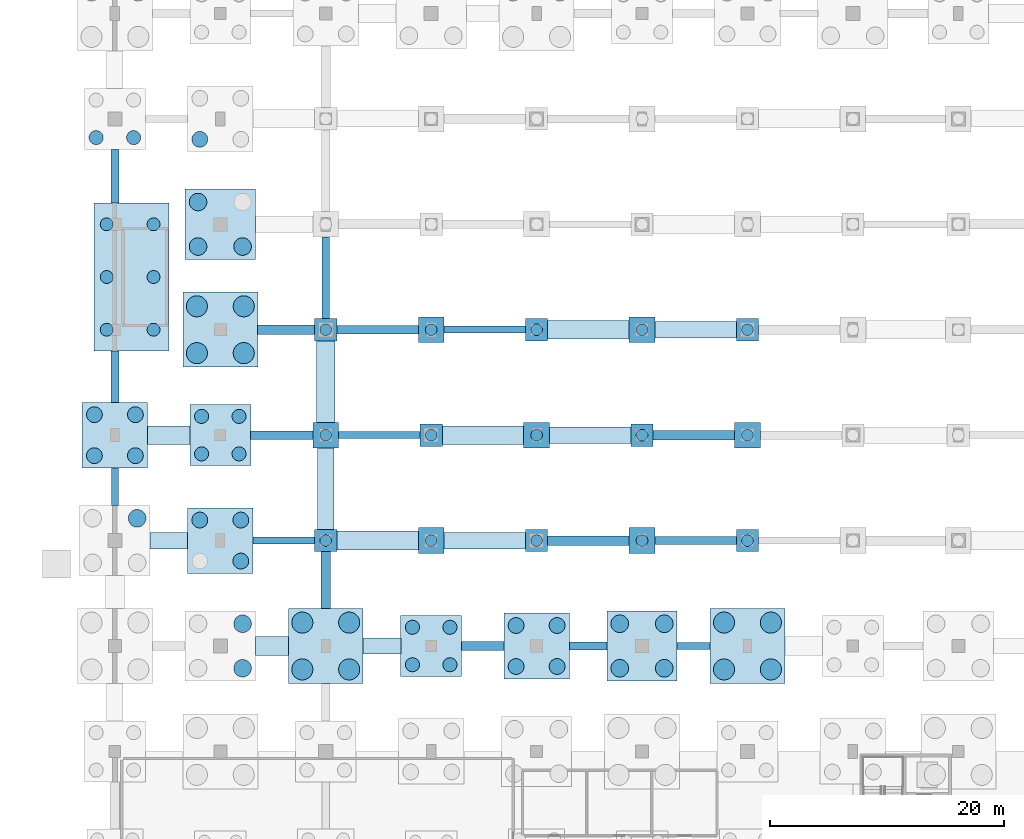
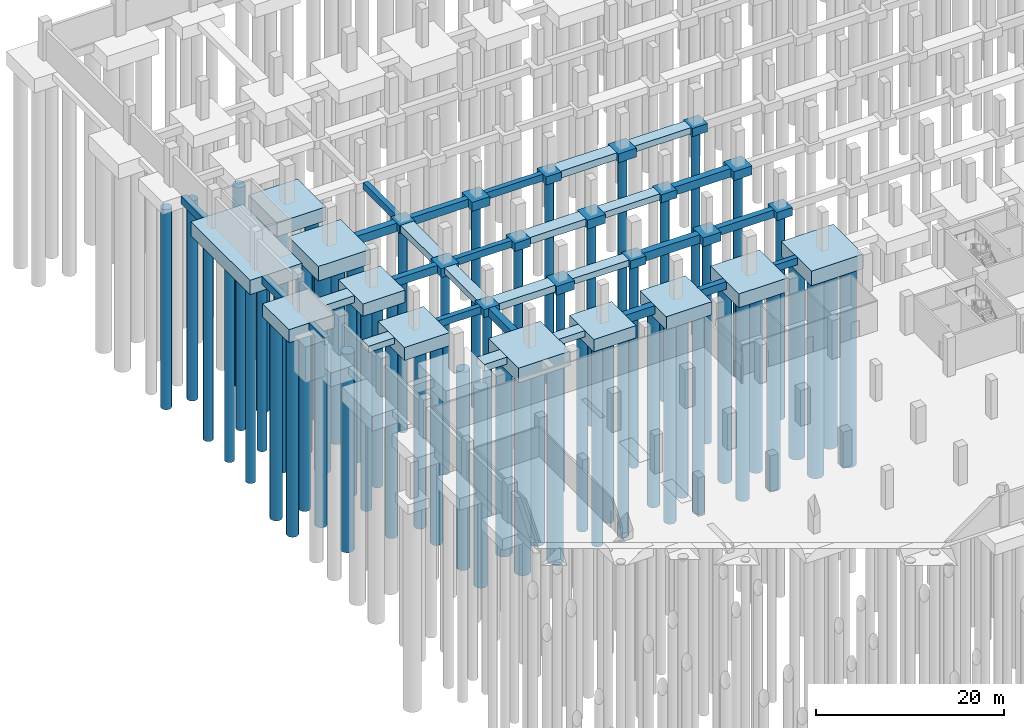
# One storey, part 4 of 37: 65 piles, 55 footings.
"""IFC4 building model written with IfcOpenShell, lengths in metres."""

import ifcopenshell
import ifcopenshell.guid

model = None  # the IFC model being written
_history = None  # IfcOwnerHistory: only IFC2X3 demands one
_inside = {}  # id of a spatial element -> (the spatial element, [elements in it])
_under = {}  # id of a project, library or spatial element -> (it, [spatial elements below it])
_declared = {}  # id of a project -> (the project, [libraries it declares])
_typed = {}  # id of a type object -> (the type object, [elements of that type])
_made_of = {}  # id of a material, layer set ... -> (it, [elements and type objects made of it])


def new_model(schema):
    """Start an empty IFC model of exactly this schema.

    Asked for "IFC4X3", IfcOpenShell would pick the latest addendum, in which some entities
    have other attributes; the version numbers below select the first issue.
    IFC2X3 requires an IfcOwnerHistory on every rooted entity: one is made here for all.
    """
    global model, _history
    if schema == "IFC4X3":
        model = ifcopenshell.file(schema_version=(4, 3, 0, 0))
    else:
        model = ifcopenshell.file(schema=schema)
    _inside.clear()
    _under.clear()
    _declared.clear()
    _typed.clear()
    _made_of.clear()
    _history = None
    if model.schema == "IFC2X3":
        org = make("IfcOrganization", Name="unknown")
        user = make(
            "IfcPersonAndOrganization",
            ThePerson=make("IfcPerson", FamilyName="unknown"),
            TheOrganization=org,
        )
        app = make(
            "IfcApplication",
            ApplicationDeveloper=org,
            Version="unknown",
            ApplicationFullName="unknown",
            ApplicationIdentifier="unknown",
        )
        _history = make(
            "IfcOwnerHistory",
            OwningUser=user,
            OwningApplication=app,
            ChangeAction="ADDED",
            CreationDate=0,
        )
    return model


def make(cls, **values):
    """One entity of the class cls with the attributes given. An attribute that is None is left unset."""
    return model.create_entity(
        cls, **{name: value for name, value in values.items() if value is not None}
    )


def rooted(cls, **values):
    """An entity with a GlobalId (a new one), such as an element, a storey or a relation."""
    return make(cls, GlobalId=ifcopenshell.guid.new(), OwnerHistory=_history, **values)


def si_unit(unit_type, name, prefix=None):
    """IfcSIUnit, for example si_unit("LENGTHUNIT", "METRE", prefix="MILLI")."""
    return make("IfcSIUnit", UnitType=unit_type, Prefix=prefix, Name=name)


def assignment(units):
    """IfcUnitAssignment: the units of a project."""
    return None if units is None else make("IfcUnitAssignment", Units=units)


def point(xyz):
    """IfcCartesianPoint."""
    return None if xyz is None else make("IfcCartesianPoint", Coordinates=xyz)


def direction(xyz):
    """IfcDirection."""
    return None if xyz is None else make("IfcDirection", DirectionRatios=xyz)


def frame(location, z_axis=None, x_axis=None):
    """IfcAxis2Placement3D, a coordinate frame: its origin and axes. An axis left out is left unset."""
    return make(
        "IfcAxis2Placement3D",
        Location=point(location),
        Axis=direction(z_axis),
        RefDirection=direction(x_axis),
    )


def frame_2d(location, x_axis=None):
    """IfcAxis2Placement2D, a coordinate frame in the plane: its origin and x axis."""
    return make(
        "IfcAxis2Placement2D", Location=point(location), RefDirection=direction(x_axis)
    )


def origin():
    """The frame at (0, 0, 0) with its axes left unset."""
    return frame((0.0, 0.0, 0.0))


def origin_2d():
    """The frame at (0, 0) in the plane with its x axis left unset."""
    return frame_2d((0.0, 0.0))


def place(relative_to, where):
    """IfcLocalPlacement: puts the frame where relative to a parent placement (None: the world)."""
    return make(
        "IfcLocalPlacement", PlacementRelTo=relative_to, RelativePlacement=where
    )


def context(
    kind, dimensions, precision=None, world=None, true_north=None, identifier=None
):
    """IfcGeometricRepresentationContext, for example the 3D "Model" context."""
    return make(
        "IfcGeometricRepresentationContext",
        ContextIdentifier=identifier,
        ContextType=kind,
        CoordinateSpaceDimension=dimensions,
        Precision=precision,
        WorldCoordinateSystem=world,
        TrueNorth=true_north,
    )


def subcontext(parent, identifier, kind, view, scale=None):
    """IfcGeometricRepresentationSubContext, for example "Body" below "Model"."""
    return make(
        "IfcGeometricRepresentationSubContext",
        ContextIdentifier=identifier,
        ContextType=kind,
        ParentContext=parent,
        TargetScale=scale,
        TargetView=view,
    )


def project(units=None, contexts=None):
    """IfcProject with its units and contexts."""
    return rooted(
        "IfcProject",
        Name="project",
        RepresentationContexts=contexts,
        UnitsInContext=assignment(units),
    )


def spatial(cls, under=None, at=None, **own):
    """A site, building, storey or space (cls), placed at a placement, below another one or the project."""
    s = rooted(cls, ObjectPlacement=at, **own)
    if under is not None:
        _under.setdefault(under.id(), (under, []))[1].append(s)
    return s


def profile(cls, at=None, kind="AREA", **sizes):
    """A parametric profile (cls). Its sizes go by their IFC names, for example OverallWidth=200.0."""
    return make(cls, ProfileType=kind, Position=at, **sizes)


def rectangle(**sizes):
    """IfcRectangleProfileDef."""
    return profile("IfcRectangleProfileDef", **sizes)


def circle(**sizes):
    """IfcCircleProfileDef."""
    return profile("IfcCircleProfileDef", **sizes)


def extrude(swept, where, along, depth):
    """IfcExtrudedAreaSolid: the profile swept, set in the frame where, extruded along a direction by depth."""
    return make(
        "IfcExtrudedAreaSolid",
        SweptArea=swept,
        Position=where,
        ExtrudedDirection=direction(along),
        Depth=depth,
    )


def shape(context_of_items, identifier, shape_type, items):
    """IfcShapeRepresentation: the items that make up one representation, for example the "Body"."""
    return make(
        "IfcShapeRepresentation",
        ContextOfItems=context_of_items,
        RepresentationIdentifier=identifier,
        RepresentationType=shape_type,
        Items=items,
    )


def material(Name=None, Category=None):
    """IfcMaterial."""
    return make("IfcMaterial", Name=Name, Category=Category)


def material_profile(
    of_material, cross_section, Name=None, Category=None, Priority=None
):
    """IfcMaterialProfile: a cross section and its material."""
    return make(
        "IfcMaterialProfile",
        Name=Name,
        Material=of_material,
        Profile=cross_section,
        Priority=Priority,
        Category=Category,
    )


def profile_set(profiles, Name=None, composite=None):
    """IfcMaterialProfileSet."""
    return make(
        "IfcMaterialProfileSet",
        Name=Name,
        MaterialProfiles=profiles,
        CompositeProfile=composite,
    )


def made_of(thing, what):
    """Note that an element or type object is made of a material, layer set ...; save() writes the relation."""
    if what is not None:
        _made_of.setdefault(what.id(), (what, []))[1].append(thing)
    return thing


def type_object(cls, material=None, **own):
    """A type object (cls), such as IfcWallType, which elements share."""
    return made_of(rooted(cls, **own), material)


def element(
    cls,
    number,
    at=None,
    inside=None,
    cuts=None,
    type_object=None,
    material=None,
    context=None,
    identifier="Body",
    shape_type=None,
    held_by="IfcProductDefinitionShape",
    body=None,
    shapes=None,
    **own,
):
    """One element of the class cls, such as IfcWall. Its Tag is "e" and its number.

    at: its placement. inside: the storey or other place that contains it. cuts: it is an
    opening in that element (IfcRelVoidsElement). A single representation is given by context,
    identifier, shape_type and body (its items); several are given by shapes. held_by: the class
    of the entity that holds the representations. save() writes the other relations.
    """
    e = rooted(cls, Tag="e%d" % number, ObjectPlacement=at, **own)
    if body is not None:
        shapes = [shape(context, identifier, shape_type, body)]
    if shapes is not None:
        e.Representation = make(held_by, Representations=shapes)
    if inside is not None:
        _inside.setdefault(inside.id(), (inside, []))[1].append(e)
    if cuts is not None:
        rooted(
            "IfcRelVoidsElement", RelatingBuildingElement=cuts, RelatedOpeningElement=e
        )
    if type_object is not None:
        _typed.setdefault(type_object.id(), (type_object, []))[1].append(e)
    return made_of(e, material)


def aggregate(whole, parts):
    """IfcRelAggregates: a whole, such as a stair, and the parts it consists of."""
    return rooted("IfcRelAggregates", RelatingObject=whole, RelatedObjects=parts)


def save(model, path):
    """Write the relations noted so far, then the file.

    IfcRelAggregates (storeys below a building ...), IfcRelContainedInSpatialStructure (elements
    in a storey), IfcRelDefinesByType, IfcRelAssociatesMaterial and IfcRelDeclares: one each for
    every whole, place, type object, material and project.
    """
    for whole, parts in _under.values():
        aggregate(whole, parts)
    for where, things in _inside.values():
        rooted(
            "IfcRelContainedInSpatialStructure",
            RelatedElements=things,
            RelatingStructure=where,
        )
    for kind, things in _typed.values():
        rooted("IfcRelDefinesByType", RelatedObjects=things, RelatingType=kind)
    for what, things in _made_of.values():
        rooted("IfcRelAssociatesMaterial", RelatedObjects=things, RelatingMaterial=what)
    for by, libraries in _declared.values():
        rooted("IfcRelDeclares", RelatingContext=by, RelatedDefinitions=libraries)
    model.write(path)


model = new_model("IFC4")

# Units and contexts
model_context = context("Model", 3, precision=1e-05, world=origin(), true_north=direction((0.0, 1.0)))
body_context = subcontext(model_context, "Body", "Model", "MODEL_VIEW")
ifc_project = project(units=[si_unit("LENGTHUNIT", "METRE"), si_unit("AREAUNIT", "SQUARE_METRE"), si_unit("VOLUMEUNIT", "CUBIC_METRE"), si_unit("PLANEANGLEUNIT", "RADIAN"), si_unit("MASSUNIT", "GRAM", prefix="KILO")], contexts=[model_context])

# Site, building, storey
site_placement = place(None, origin())
site = spatial("IfcSite", under=ifc_project, at=site_placement, CompositionType="ELEMENT")
building_placement = place(site_placement, origin())
building = spatial("IfcBuilding", under=site, at=building_placement, Name="Barlavento Convention Centre", CompositionType="ELEMENT")
storey_placement = place(building_placement, frame((0.0, 0.0, -5.0)))
storey = spatial("IfcBuildingStorey", under=building, at=storey_placement, Name="B1", CompositionType="ELEMENT", Elevation=-5.0)

# Footings
ifc_material = material(Name="Concrete C40/50", Category="concrete")
footing_type_1 = type_object("IfcFootingType", Name="STR-FND-CORE-COMB", PredefinedType="PILE_CAP", material=ifc_material)
footing_1_placement = place(storey_placement, frame((1.39990234375, 94.5, -1.85009765625), z_axis=(0.0, 0.0, 1.0), x_axis=(1.0, 0.0, 0.0)))
element("IfcFooting", 1, at=footing_1_placement, inside=storey, type_object=footing_type_1, Name="Combined core and column foundation mat FND-CORE-C11", PredefinedType="PILE_CAP", context=body_context, shape_type="SweptSolid", body=[
    extrude(rectangle(XDim=6.39990234375, YDim=12.60009765625, at=origin_2d()), origin(), (0.0, 0.0, 1.0), 1.85009765625),
])
footing_type_2 = type_object("IfcFootingType", Name="STR-FND-GB-600X900", PredefinedType="FOOTING_BEAM", material=ifc_material)
footing_2_placement = place(storey_placement, frame((14.425048828125, 72.0, -0.89990234375), z_axis=(0.0, 0.0, 1.0), x_axis=(1.0, 0.0, 0.0)))
element("IfcFooting", 2, at=footing_2_placement, inside=storey, type_object=footing_type_2, Name="Ground tie footing GB01", PredefinedType="FOOTING_BEAM", context=body_context, shape_type="SweptSolid", body=[
    extrude(rectangle(XDim=5.260009765625, YDim=0.60009765625, at=origin_2d()), origin(), (0.0, 0.0, 1.0), 0.89990234375),
])
for number, where, z_axis, x_axis, name in (
    (3, (22.574951171875, 81.0, -0.89990234375), (0.0, 0.0, 1.0), (1.0, 0.0, 0.0), "Ground tie footing GB01"),
    (4, (31.574951171875, 90.0, -0.89990234375), (0.0, 0.0, 1.0), (1.0, 0.0, 0.0), "Ground tie footing GB01"),
):
    element("IfcFooting", number, at=place(storey_placement, frame(where, z_axis=z_axis, x_axis=x_axis)), inside=storey, type_object=footing_type_2, Name=name, PredefinedType="FOOTING_BEAM", context=body_context, shape_type="SweptSolid", body=[
        extrude(rectangle(XDim=6.9599609375, YDim=0.60009765625, at=origin_2d()), origin(), (0.0, 0.0, 1.0), 0.89990234375),
    ])
footing_3_placement = place(storey_placement, frame((49.39990234375, 63.0, -0.89990234375), z_axis=(0.0, 0.0, 1.0), x_axis=(1.0, 0.0, 0.0)))
element("IfcFooting", 5, at=footing_3_placement, inside=storey, type_object=footing_type_2, Name="Ground tie footing GB01", PredefinedType="FOOTING_BEAM", context=body_context, shape_type="SweptSolid", body=[
    extrude(rectangle(XDim=2.81005859375, YDim=0.60009765625, at=origin_2d()), origin(), (0.0, 0.0, 1.0), 0.89990234375),
])
footing_4_placement = place(storey_placement, frame((0.0, 76.60009765625, -0.89990234375), z_axis=(0.0, 0.0, 1.0), x_axis=(1.0, 0.0, 0.0)))
element("IfcFooting", 6, at=footing_4_placement, inside=storey, type_object=footing_type_2, Name="Ground tie footing GB01", PredefinedType="FOOTING_BEAM", context=body_context, shape_type="SweptSolid", body=[
    extrude(rectangle(XDim=0.60009765625, YDim=3.2099609375, at=origin_2d()), origin(), (0.0, 0.0, 1.0), 0.89990234375),
])
footing_5_placement = place(storey_placement, frame((18.0, 94.425048828125, -0.89990234375), z_axis=(0.0, 0.0, 1.0), x_axis=(1.0, 0.0, 0.0)))
element("IfcFooting", 7, at=footing_5_placement, inside=storey, type_object=footing_type_2, Name="Ground tie footing GB01", PredefinedType="FOOTING_BEAM", context=body_context, shape_type="SweptSolid", body=[
    extrude(rectangle(XDim=0.60009765625, YDim=6.9599609375, at=origin_2d()), origin(), (0.0, 0.0, 1.0), 0.89990234375),
])
footing_type_3 = type_object("IfcFootingType", Name="STR-FND-GB-700X1000", PredefinedType="FOOTING_BEAM", material=ifc_material)
footing_6_placement = place(storey_placement, frame((14.25, 81.0, -1.0), z_axis=(0.0, 0.0, 1.0), x_axis=(1.0, 0.0, 0.0)))
element("IfcFooting", 8, at=footing_6_placement, inside=storey, type_object=footing_type_3, Name="Ground tie footing GB02", PredefinedType="FOOTING_BEAM", context=body_context, shape_type="SweptSolid", body=[
    extrude(rectangle(XDim=5.31005859375, YDim=0.699951171875, at=origin_2d()), origin(), (0.0, 0.0, 1.0), 1.0),
])
footing_7_placement = place(storey_placement, frame((22.425048828125, 90.0, -1.0), z_axis=(0.0, 0.0, 1.0), x_axis=(1.0, 0.0, 0.0)))
element("IfcFooting", 9, at=footing_7_placement, inside=storey, type_object=footing_type_3, Name="Ground tie footing GB02", PredefinedType="FOOTING_BEAM", context=body_context, shape_type="SweptSolid", body=[
    extrude(rectangle(XDim=6.9599609375, YDim=0.699951171875, at=origin_2d()), origin(), (0.0, 0.0, 1.0), 1.0),
])
footing_8_placement = place(storey_placement, frame((40.39990234375, 63.0, -1.0), z_axis=(0.0, 0.0, 1.0), x_axis=(1.0, 0.0, 0.0)))
element("IfcFooting", 10, at=footing_8_placement, inside=storey, type_object=footing_type_3, Name="Ground tie footing GB02", PredefinedType="FOOTING_BEAM", context=body_context, shape_type="SweptSolid", body=[
    extrude(rectangle(XDim=3.2099609375, YDim=0.699951171875, at=origin_2d()), origin(), (0.0, 0.0, 1.0), 1.0),
])
footing_9_placement = place(storey_placement, frame((49.574951171875, 72.0, -1.0), z_axis=(0.0, 0.0, 1.0), x_axis=(1.0, 0.0, 0.0)))
element("IfcFooting", 11, at=footing_9_placement, inside=storey, type_object=footing_type_3, Name="Ground tie footing GB02", PredefinedType="FOOTING_BEAM", context=body_context, shape_type="SweptSolid", body=[
    extrude(rectangle(XDim=6.9599609375, YDim=0.699951171875, at=origin_2d()), origin(), (0.0, 0.0, 1.0), 1.0),
])
footing_10_placement = place(storey_placement, frame((0.0, 85.99755859375, -1.0), z_axis=(0.0, 0.0, 1.0), x_axis=(1.0, 0.0, 0.0)))
element("IfcFooting", 12, at=footing_10_placement, inside=storey, type_object=footing_type_3, Name="Ground tie footing GB02", PredefinedType="FOOTING_BEAM", context=body_context, shape_type="SweptSolid", body=[
    extrude(rectangle(XDim=0.699951171875, YDim=4.405029296875, at=origin_2d()), origin(), (0.0, 0.0, 1.0), 1.0),
])
footing_11_placement = place(storey_placement, frame((0.0, 103.1025390625, -1.0), z_axis=(0.0, 0.0, 1.0), x_axis=(1.0, 0.0, 0.0)))
element("IfcFooting", 13, at=footing_11_placement, inside=storey, type_object=footing_type_3, Name="Ground tie footing GB02", PredefinedType="FOOTING_BEAM", context=body_context, shape_type="SweptSolid", body=[
    extrude(rectangle(XDim=0.699951171875, YDim=4.60498046875, at=origin_2d()), origin(), (0.0, 0.0, 1.0), 1.0),
])
footing_type_4 = type_object("IfcFootingType", Name="STR-FND-GB-800X1100", PredefinedType="FOOTING_BEAM", material=ifc_material)
footing_12_placement = place(storey_placement, frame((14.625, 90.0, -1.10009765625), z_axis=(0.0, 0.0, 1.0), x_axis=(1.0, 0.0, 0.0)))
element("IfcFooting", 14, at=footing_12_placement, inside=storey, type_object=footing_type_4, Name="Ground tie footing GB03", PredefinedType="FOOTING_BEAM", context=body_context, shape_type="SweptSolid", body=[
    extrude(rectangle(XDim=4.860107421875, YDim=0.800048828125, at=origin_2d()), origin(), (0.0, 0.0, 1.0), 1.10009765625),
])
footing_13_placement = place(storey_placement, frame((31.39990234375, 63.0, -1.10009765625), z_axis=(0.0, 0.0, 1.0), x_axis=(1.0, 0.0, 0.0)))
element("IfcFooting", 15, at=footing_13_placement, inside=storey, type_object=footing_type_4, Name="Ground tie footing GB03", PredefinedType="FOOTING_BEAM", context=body_context, shape_type="SweptSolid", body=[
    extrude(rectangle(XDim=3.610107421875, YDim=0.800048828125, at=origin_2d()), origin(), (0.0, 0.0, 1.0), 1.10009765625),
])
for number, where, z_axis, x_axis, name in (
    (16, (40.425048828125, 72.0, -1.10009765625), (0.0, 0.0, 1.0), (1.0, 0.0, 0.0), "Ground tie footing GB03"),
    (17, (49.425048828125, 81.0, -1.10009765625), (0.0, 0.0, 1.0), (1.0, 0.0, 0.0), "Ground tie footing GB03"),
):
    element("IfcFooting", number, at=place(storey_placement, frame(where, z_axis=z_axis, x_axis=x_axis)), inside=storey, type_object=footing_type_4, Name=name, PredefinedType="FOOTING_BEAM", context=body_context, shape_type="SweptSolid", body=[
        extrude(rectangle(XDim=6.9599609375, YDim=0.800048828125, at=origin_2d()), origin(), (0.0, 0.0, 1.0), 1.10009765625),
    ])
footing_14_placement = place(storey_placement, frame((18.0, 68.625, -1.10009765625), z_axis=(0.0, 0.0, 1.0), x_axis=(1.0, 0.0, 0.0)))
element("IfcFooting", 18, at=footing_14_placement, inside=storey, type_object=footing_type_4, Name="Ground tie footing GB03", PredefinedType="FOOTING_BEAM", context=body_context, shape_type="SweptSolid", body=[
    extrude(rectangle(XDim=0.800048828125, YDim=4.860107421875, at=origin_2d()), origin(), (0.0, 0.0, 1.0), 1.10009765625),
])
footing_type_5 = type_object("IfcFootingType", Name="STR-FND-PC1-1900", PredefinedType="PILE_CAP", material=ifc_material)
for number, where, z_axis, x_axis, name in (
    (19, (18.0, 72.0, -1.0498046875), (0.0, 0.0, 1.0), (1.0, 0.0, 0.0), "Pile cap PC01 at 3-J"),
    (20, (18.0, 90.0, -1.0498046875), (0.0, 0.0, 1.0), (1.0, 0.0, 0.0), "Pile cap PC01 at 3-L"),
    (21, (27.0, 81.0, -1.0498046875), (0.0, 0.0, 1.0), (1.0, 0.0, 0.0), "Pile cap PC01 at 4-K"),
    (22, (36.0, 72.0, -1.0498046875), (0.0, 0.0, 1.0), (1.0, 0.0, 0.0), "Pile cap PC01 at 5-J"),
    (23, (36.0, 90.0, -1.0498046875), (0.0, 0.0, 1.0), (1.0, 0.0, 0.0), "Pile cap PC01 at 5-L"),
    (24, (45.0, 81.0, -1.0498046875), (0.0, 0.0, 1.0), (1.0, 0.0, 0.0), "Pile cap PC01 at 6-K"),
    (25, (54.0, 72.0, -1.0498046875), (0.0, 0.0, 1.0), (1.0, 0.0, 0.0), "Pile cap PC01 at 7-J"),
    (26, (54.0, 90.0, -1.0498046875), (0.0, 0.0, 1.0), (1.0, 0.0, 0.0), "Pile cap PC01 at 7-L"),
):
    element("IfcFooting", number, at=place(storey_placement, frame(where, z_axis=z_axis, x_axis=x_axis)), inside=storey, type_object=footing_type_5, Name=name, PredefinedType="PILE_CAP", context=body_context, shape_type="SweptSolid", body=[
        extrude(rectangle(XDim=1.89990234375, YDim=1.89990234375, at=origin_2d()), origin(), (0.0, 0.0, 1.0), 1.050048828125),
    ])
footing_type_6 = type_object("IfcFootingType", Name="STR-FND-PC1-2200", PredefinedType="PILE_CAP", material=ifc_material)
for number, where, z_axis, x_axis, name in (
    (27, (18.0, 81.0, -1.14990234375), (0.0, 0.0, 1.0), (1.0, 0.0, 0.0), "Pile cap PC02 at 3-K"),
    (28, (27.0, 72.0, -1.14990234375), (0.0, 0.0, 1.0), (1.0, 0.0, 0.0), "Pile cap PC02 at 4-J"),
    (29, (27.0, 90.0, -1.14990234375), (0.0, 0.0, 1.0), (1.0, 0.0, 0.0), "Pile cap PC02 at 4-L"),
    (30, (36.0, 81.0, -1.14990234375), (0.0, 0.0, 1.0), (1.0, 0.0, 0.0), "Pile cap PC02 at 5-K"),
    (31, (45.0, 72.0, -1.14990234375), (0.0, 0.0, 1.0), (1.0, 0.0, 0.0), "Pile cap PC02 at 6-J"),
    (32, (45.0, 90.0, -1.14990234375), (0.0, 0.0, 1.0), (1.0, 0.0, 0.0), "Pile cap PC02 at 6-L"),
    (33, (54.0, 81.0, -1.14990234375), (0.0, 0.0, 1.0), (1.0, 0.0, 0.0), "Pile cap PC02 at 7-K"),
):
    element("IfcFooting", number, at=place(storey_placement, frame(where, z_axis=z_axis, x_axis=x_axis)), inside=storey, type_object=footing_type_6, Name=name, PredefinedType="PILE_CAP", context=body_context, shape_type="SweptSolid", body=[
        extrude(rectangle(XDim=2.199951171875, YDim=2.199951171875, at=origin_2d()), origin(), (0.0, 0.0, 1.0), 1.14990234375),
    ])
footing_type_7 = type_object("IfcFootingType", Name="STR-FND-PC4-5200", PredefinedType="PILE_CAP", material=ifc_material)
for number, where, z_axis, x_axis, name in (
    (34, (9.0, 81.0, -1.60009765625), (0.0, 0.0, 1.0), (1.0, 0.0, 0.0), "Pile cap PC09 at 2-K"),
    (35, (27.0, 63.0, -1.60009765625), (0.0, 0.0, 1.0), (1.0, 0.0, 0.0), "Pile cap PC09 at 4-H"),
):
    element("IfcFooting", number, at=place(storey_placement, frame(where, z_axis=z_axis, x_axis=x_axis)), inside=storey, type_object=footing_type_7, Name=name, PredefinedType="PILE_CAP", context=body_context, shape_type="SweptSolid", body=[
        extrude(rectangle(XDim=5.199951171875, YDim=5.199951171875, at=origin_2d()), origin(), (0.0, 0.0, 1.0), 1.60009765625),
    ])
footing_type_8 = type_object("IfcFootingType", Name="STR-FND-PC4-5600", PredefinedType="PILE_CAP", material=ifc_material)
for number, where, z_axis, x_axis, name in (
    (36, (0.0, 81.0, -1.7001953125), (0.0, 0.0, 1.0), (1.0, 0.0, 0.0), "Pile cap PC10 at 1-K"),
    (37, (9.0, 72.0, -1.7001953125), (0.0, 0.0, 1.0), (1.0, 0.0, 0.0), "Pile cap PC10 at 2-J"),
    (38, (36.0, 63.0, -1.7001953125), (0.0, 0.0, 1.0), (1.0, 0.0, 0.0), "Pile cap PC10 at 5-H"),
):
    element("IfcFooting", number, at=place(storey_placement, frame(where, z_axis=z_axis, x_axis=x_axis)), inside=storey, type_object=footing_type_8, Name=name, PredefinedType="PILE_CAP", context=body_context, shape_type="SweptSolid", body=[
        extrude(rectangle(XDim=5.60009765625, YDim=5.60009765625, at=origin_2d()), origin(), (0.0, 0.0, 1.0), 1.699951171875),
    ])
footing_type_9 = type_object("IfcFootingType", Name="STR-FND-PC4-6000", PredefinedType="PILE_CAP", material=ifc_material)
for number, where, z_axis, x_axis, name in (
    (39, (9.0, 99.0, -1.7998046875), (0.0, 0.0, 1.0), (1.0, 0.0, 0.0), "Pile cap PC11 at 2-M"),
    (40, (45.0, 63.0, -1.7998046875), (0.0, 0.0, 1.0), (1.0, 0.0, 0.0), "Pile cap PC11 at 6-H"),
):
    element("IfcFooting", number, at=place(storey_placement, frame(where, z_axis=z_axis, x_axis=x_axis)), inside=storey, type_object=footing_type_9, Name=name, PredefinedType="PILE_CAP", context=body_context, shape_type="SweptSolid", body=[
        extrude(rectangle(XDim=6.0, YDim=6.0, at=origin_2d()), origin(), (0.0, 0.0, 1.0), 1.800048828125),
    ])
footing_type_10 = type_object("IfcFootingType", Name="STR-FND-PC4-6400", PredefinedType="PILE_CAP", material=ifc_material)
for number, where, z_axis, x_axis, name in (
    (41, (9.0, 90.0, -1.89990234375), (0.0, 0.0, 1.0), (1.0, 0.0, 0.0), "Pile cap PC12 at 2-L"),
    (42, (18.0, 63.0, -1.89990234375), (0.0, 0.0, 1.0), (1.0, 0.0, 0.0), "Pile cap PC12 at 3-H"),
    (43, (54.0, 63.0, -1.89990234375), (0.0, 0.0, 1.0), (1.0, 0.0, 0.0), "Pile cap PC12 at 7-H"),
):
    element("IfcFooting", number, at=place(storey_placement, frame(where, z_axis=z_axis, x_axis=x_axis)), inside=storey, type_object=footing_type_10, Name=name, PredefinedType="PILE_CAP", context=body_context, shape_type="SweptSolid", body=[
        extrude(rectangle(XDim=6.39990234375, YDim=6.39990234375, at=origin_2d()), origin(), (0.0, 0.0, 1.0), 1.89990234375),
    ])
footing_type_11 = type_object("IfcFootingType", Name="STR-FND-SF-1400X800", PredefinedType="STRIP_FOOTING", material=ifc_material)
for number, where, z_axis, x_axis, name in (
    (44, (4.60009765625, 72.0, -0.7998046875), (0.0, 0.0, 1.0), (1.0, 0.0, 0.0), "Ground tie footing SF01"),
    (45, (22.800048828125, 63.0, -0.7998046875), (0.0, 0.0, 1.0), (1.0, 0.0, 0.0), "Ground tie footing SF01"),
):
    element("IfcFooting", number, at=place(storey_placement, frame(where, z_axis=z_axis, x_axis=x_axis)), inside=storey, type_object=footing_type_11, Name=name, PredefinedType="STRIP_FOOTING", context=body_context, shape_type="SweptSolid", body=[
        extrude(rectangle(XDim=3.2099609375, YDim=1.39990234375, at=origin_2d()), origin(), (0.0, 0.0, 1.0), 0.800048828125),
    ])
for number, where, z_axis, x_axis, name in (
    (46, (31.574951171875, 72.0, -0.7998046875), (0.0, 0.0, 1.0), (1.0, 0.0, 0.0), "Ground tie footing SF01"),
    (47, (40.574951171875, 81.0, -0.7998046875), (0.0, 0.0, 1.0), (1.0, 0.0, 0.0), "Ground tie footing SF01"),
    (48, (49.574951171875, 90.0, -0.7998046875), (0.0, 0.0, 1.0), (1.0, 0.0, 0.0), "Ground tie footing SF01"),
):
    element("IfcFooting", number, at=place(storey_placement, frame(where, z_axis=z_axis, x_axis=x_axis)), inside=storey, type_object=footing_type_11, Name=name, PredefinedType="STRIP_FOOTING", context=body_context, shape_type="SweptSolid", body=[
        extrude(rectangle(XDim=6.9599609375, YDim=1.39990234375, at=origin_2d()), origin(), (0.0, 0.0, 1.0), 0.800048828125),
    ])
footing_15_placement = place(storey_placement, frame((18.0, 76.425048828125, -0.7998046875), z_axis=(0.0, 0.0, 1.0), x_axis=(1.0, 0.0, 0.0)))
element("IfcFooting", 49, at=footing_15_placement, inside=storey, type_object=footing_type_11, Name="Ground tie footing SF01", PredefinedType="STRIP_FOOTING", context=body_context, shape_type="SweptSolid", body=[
    extrude(rectangle(XDim=1.39990234375, YDim=6.9599609375, at=origin_2d()), origin(), (0.0, 0.0, 1.0), 0.800048828125),
])
footing_type_12 = type_object("IfcFootingType", Name="STR-FND-SF-1600X900", PredefinedType="STRIP_FOOTING", material=ifc_material)
footing_16_placement = place(storey_placement, frame((4.60009765625, 81.0, -0.89990234375), z_axis=(0.0, 0.0, 1.0), x_axis=(1.0, 0.0, 0.0)))
element("IfcFooting", 50, at=footing_16_placement, inside=storey, type_object=footing_type_12, Name="Ground tie footing SF02", PredefinedType="STRIP_FOOTING", context=body_context, shape_type="SweptSolid", body=[
    extrude(rectangle(XDim=3.610107421875, YDim=1.60009765625, at=origin_2d()), origin(), (0.0, 0.0, 1.0), 0.89990234375),
])
footing_17_placement = place(storey_placement, frame((13.39990234375, 63.0, -0.89990234375), z_axis=(0.0, 0.0, 1.0), x_axis=(1.0, 0.0, 0.0)))
element("IfcFooting", 51, at=footing_17_placement, inside=storey, type_object=footing_type_12, Name="Ground tie footing SF02", PredefinedType="STRIP_FOOTING", context=body_context, shape_type="SweptSolid", body=[
    extrude(rectangle(XDim=2.81005859375, YDim=1.60009765625, at=origin_2d()), origin(), (0.0, 0.0, 1.0), 0.89990234375),
])
for number, where, z_axis, x_axis, name in (
    (52, (22.425048828125, 72.0, -0.89990234375), (0.0, 0.0, 1.0), (1.0, 0.0, 0.0), "Ground tie footing SF02"),
    (53, (31.425048828125, 81.0, -0.89990234375), (0.0, 0.0, 1.0), (1.0, 0.0, 0.0), "Ground tie footing SF02"),
    (54, (40.425048828125, 90.0, -0.89990234375), (0.0, 0.0, 1.0), (1.0, 0.0, 0.0), "Ground tie footing SF02"),
):
    element("IfcFooting", number, at=place(storey_placement, frame(where, z_axis=z_axis, x_axis=x_axis)), inside=storey, type_object=footing_type_12, Name=name, PredefinedType="STRIP_FOOTING", context=body_context, shape_type="SweptSolid", body=[
        extrude(rectangle(XDim=6.9599609375, YDim=1.60009765625, at=origin_2d()), origin(), (0.0, 0.0, 1.0), 0.89990234375),
    ])
footing_18_placement = place(storey_placement, frame((18.0, 85.574951171875, -0.89990234375), z_axis=(0.0, 0.0, 1.0), x_axis=(1.0, 0.0, 0.0)))
element("IfcFooting", 55, at=footing_18_placement, inside=storey, type_object=footing_type_12, Name="Ground tie footing SF02", PredefinedType="STRIP_FOOTING", context=body_context, shape_type="SweptSolid", body=[
    extrude(rectangle(XDim=1.60009765625, YDim=6.9599609375, at=origin_2d()), origin(), (0.0, 0.0, 1.0), 0.89990234375),
])

# Piles
ifc_material_profile_1 = material_profile(ifc_material, circle(Radius=0.5, at=origin_2d()), Name="BORED PILE 1000")
ifc_profile_set_1 = profile_set([ifc_material_profile_1], Name="Concrete C40/50")
pile_type_1 = type_object("IfcPileType", Name="STR-PIL-B1000", PredefinedType="BORED", material=ifc_profile_set_1)
pile_1_placement = place(storey_placement, frame((18.0, 72.0, -0.949951171875), z_axis=(0.0, 0.0, -1.0), x_axis=(1.0, 0.0, 0.0)))
element("IfcPile", 56, at=pile_1_placement, inside=storey, type_object=pile_type_1, Name="Bored pile P10 under FND-CAP-0037", PredefinedType="BORED", context=body_context, shape_type="SweptSolid", body=[
    extrude(circle(Radius=0.5, at=origin_2d()), origin(), (0.0, 0.0, 1.0), 26.550048828125),
])
pile_2_placement = place(storey_placement, frame((18.0, 81.0, -1.050048828125), z_axis=(0.0, 0.0, -1.0), x_axis=(1.0, 0.0, 0.0)))
element("IfcPile", 57, at=pile_2_placement, inside=storey, type_object=pile_type_1, Name="Bored pile P10 under FND-CAP-0038", PredefinedType="BORED", context=body_context, shape_type="SweptSolid", body=[
    extrude(circle(Radius=0.5, at=origin_2d()), origin(), (0.0, 0.0, 1.0), 26.449951171875),
])
pile_3_placement = place(storey_placement, frame((18.0, 90.0, -0.949951171875), z_axis=(0.0, 0.0, -1.0), x_axis=(1.0, 0.0, 0.0)))
element("IfcPile", 58, at=pile_3_placement, inside=storey, type_object=pile_type_1, Name="Bored pile P10 under FND-CAP-0039", PredefinedType="BORED", context=body_context, shape_type="SweptSolid", body=[
    extrude(circle(Radius=0.5, at=origin_2d()), origin(), (0.0, 0.0, 1.0), 26.550048828125),
])
pile_4_placement = place(storey_placement, frame((27.0, 72.0, -1.050048828125), z_axis=(0.0, 0.0, -1.0), x_axis=(1.0, 0.0, 0.0)))
element("IfcPile", 59, at=pile_4_placement, inside=storey, type_object=pile_type_1, Name="Bored pile P10 under FND-CAP-0052", PredefinedType="BORED", context=body_context, shape_type="SweptSolid", body=[
    extrude(circle(Radius=0.5, at=origin_2d()), origin(), (0.0, 0.0, 1.0), 26.449951171875),
])
pile_5_placement = place(storey_placement, frame((27.0, 81.0, -0.949951171875), z_axis=(0.0, 0.0, -1.0), x_axis=(1.0, 0.0, 0.0)))
element("IfcPile", 60, at=pile_5_placement, inside=storey, type_object=pile_type_1, Name="Bored pile P10 under FND-CAP-0053", PredefinedType="BORED", context=body_context, shape_type="SweptSolid", body=[
    extrude(circle(Radius=0.5, at=origin_2d()), origin(), (0.0, 0.0, 1.0), 26.550048828125),
])
pile_6_placement = place(storey_placement, frame((27.0, 90.0, -1.050048828125), z_axis=(0.0, 0.0, -1.0), x_axis=(1.0, 0.0, 0.0)))
element("IfcPile", 61, at=pile_6_placement, inside=storey, type_object=pile_type_1, Name="Bored pile P10 under FND-CAP-0054", PredefinedType="BORED", context=body_context, shape_type="SweptSolid", body=[
    extrude(circle(Radius=0.5, at=origin_2d()), origin(), (0.0, 0.0, 1.0), 26.449951171875),
])
pile_7_placement = place(storey_placement, frame((36.0, 72.0, -0.949951171875), z_axis=(0.0, 0.0, -1.0), x_axis=(1.0, 0.0, 0.0)))
element("IfcPile", 62, at=pile_7_placement, inside=storey, type_object=pile_type_1, Name="Bored pile P10 under FND-CAP-0067", PredefinedType="BORED", context=body_context, shape_type="SweptSolid", body=[
    extrude(circle(Radius=0.5, at=origin_2d()), origin(), (0.0, 0.0, 1.0), 26.550048828125),
])
pile_8_placement = place(storey_placement, frame((36.0, 81.0, -1.050048828125), z_axis=(0.0, 0.0, -1.0), x_axis=(1.0, 0.0, 0.0)))
element("IfcPile", 63, at=pile_8_placement, inside=storey, type_object=pile_type_1, Name="Bored pile P10 under FND-CAP-0068", PredefinedType="BORED", context=body_context, shape_type="SweptSolid", body=[
    extrude(circle(Radius=0.5, at=origin_2d()), origin(), (0.0, 0.0, 1.0), 26.449951171875),
])
pile_9_placement = place(storey_placement, frame((36.0, 90.0, -0.949951171875), z_axis=(0.0, 0.0, -1.0), x_axis=(1.0, 0.0, 0.0)))
element("IfcPile", 64, at=pile_9_placement, inside=storey, type_object=pile_type_1, Name="Bored pile P10 under FND-CAP-0069", PredefinedType="BORED", context=body_context, shape_type="SweptSolid", body=[
    extrude(circle(Radius=0.5, at=origin_2d()), origin(), (0.0, 0.0, 1.0), 26.550048828125),
])
pile_10_placement = place(storey_placement, frame((45.0, 72.0, -1.050048828125), z_axis=(0.0, 0.0, -1.0), x_axis=(1.0, 0.0, 0.0)))
element("IfcPile", 65, at=pile_10_placement, inside=storey, type_object=pile_type_1, Name="Bored pile P10 under FND-CAP-0082", PredefinedType="BORED", context=body_context, shape_type="SweptSolid", body=[
    extrude(circle(Radius=0.5, at=origin_2d()), origin(), (0.0, 0.0, 1.0), 26.449951171875),
])
pile_11_placement = place(storey_placement, frame((45.0, 81.0, -0.949951171875), z_axis=(0.0, 0.0, -1.0), x_axis=(1.0, 0.0, 0.0)))
element("IfcPile", 66, at=pile_11_placement, inside=storey, type_object=pile_type_1, Name="Bored pile P10 under FND-CAP-0083", PredefinedType="BORED", context=body_context, shape_type="SweptSolid", body=[
    extrude(circle(Radius=0.5, at=origin_2d()), origin(), (0.0, 0.0, 1.0), 26.550048828125),
])
pile_12_placement = place(storey_placement, frame((45.0, 90.0, -1.050048828125), z_axis=(0.0, 0.0, -1.0), x_axis=(1.0, 0.0, 0.0)))
element("IfcPile", 67, at=pile_12_placement, inside=storey, type_object=pile_type_1, Name="Bored pile P10 under FND-CAP-0084", PredefinedType="BORED", context=body_context, shape_type="SweptSolid", body=[
    extrude(circle(Radius=0.5, at=origin_2d()), origin(), (0.0, 0.0, 1.0), 26.449951171875),
])
pile_13_placement = place(storey_placement, frame((54.0, 72.0, -0.949951171875), z_axis=(0.0, 0.0, -1.0), x_axis=(1.0, 0.0, 0.0)))
element("IfcPile", 68, at=pile_13_placement, inside=storey, type_object=pile_type_1, Name="Bored pile P10 under FND-CAP-0097", PredefinedType="BORED", context=body_context, shape_type="SweptSolid", body=[
    extrude(circle(Radius=0.5, at=origin_2d()), origin(), (0.0, 0.0, 1.0), 26.550048828125),
])
pile_14_placement = place(storey_placement, frame((54.0, 81.0, -1.050048828125), z_axis=(0.0, 0.0, -1.0), x_axis=(1.0, 0.0, 0.0)))
element("IfcPile", 69, at=pile_14_placement, inside=storey, type_object=pile_type_1, Name="Bored pile P10 under FND-CAP-0098", PredefinedType="BORED", context=body_context, shape_type="SweptSolid", body=[
    extrude(circle(Radius=0.5, at=origin_2d()), origin(), (0.0, 0.0, 1.0), 26.449951171875),
])
pile_15_placement = place(storey_placement, frame((54.0, 90.0, -0.949951171875), z_axis=(0.0, 0.0, -1.0), x_axis=(1.0, 0.0, 0.0)))
element("IfcPile", 70, at=pile_15_placement, inside=storey, type_object=pile_type_1, Name="Bored pile P10 under FND-CAP-0099", PredefinedType="BORED", context=body_context, shape_type="SweptSolid", body=[
    extrude(circle(Radius=0.5, at=origin_2d()), origin(), (0.0, 0.0, 1.0), 26.550048828125),
])
ifc_material_profile_2 = material_profile(ifc_material, circle(Radius=0.550048828125, at=origin_2d()), Name="BORED PILE 1100")
ifc_profile_set_2 = profile_set([ifc_material_profile_2], Name="Concrete C40/50")
pile_type_2 = type_object("IfcPileType", Name="STR-PIL-B1100", PredefinedType="BORED", material=ifc_profile_set_2)
for number, where, z_axis, x_axis, name in (
    (71, (-0.699951171875, 90.0, -1.75), (0.0, 0.0, -1.0), (1.0, 0.0, 0.0), "Core foundation bored pile PIL-P11--700-90000"),
    (72, (3.300048828125, 90.0, -1.75), (0.0, 0.0, -1.0), (1.0, 0.0, 0.0), "Core foundation bored pile PIL-P11-3300-90000"),
    (73, (-0.699951171875, 94.5, -1.75), (0.0, 0.0, -1.0), (1.0, 0.0, 0.0), "Core foundation bored pile PIL-P11--700-94500"),
    (74, (3.300048828125, 94.5, -1.75), (0.0, 0.0, -1.0), (1.0, 0.0, 0.0), "Core foundation bored pile PIL-P11-3300-94500"),
    (75, (-0.699951171875, 99.0, -1.75), (0.0, 0.0, -1.0), (1.0, 0.0, 0.0), "Core foundation bored pile PIL-P11--700-99000"),
    (76, (3.300048828125, 99.0, -1.75), (0.0, 0.0, -1.0), (1.0, 0.0, 0.0), "Core foundation bored pile PIL-P11-3300-99000"),
):
    element("IfcPile", number, at=place(storey_placement, frame(where, z_axis=z_axis, x_axis=x_axis)), inside=storey, type_object=pile_type_2, Name=name, PredefinedType="BORED", context=body_context, shape_type="SweptSolid", body=[
        extrude(circle(Radius=0.550048828125, at=origin_2d()), origin(), (0.0, 0.0, 1.0), 25.75),
    ])
ifc_material_profile_3 = material_profile(ifc_material, circle(Radius=0.60009765625, at=origin_2d()), Name="BORED PILE 1200")
ifc_profile_set_3 = profile_set([ifc_material_profile_3], Name="Concrete C40/50")
pile_type_3 = type_object("IfcPileType", Name="STR-PIL-B1200", PredefinedType="BORED", material=ifc_profile_set_3)
for number, where, z_axis, x_axis, name in (
    (77, (-1.60009765625, 106.39990234375, -1.5), (0.0, 0.0, -1.0), (1.0, 0.0, 0.0), "Bored pile P12 under FND-CAP-0011"),
    (78, (1.60009765625, 106.39990234375, -1.5), (0.0, 0.0, -1.0), (1.0, 0.0, 0.0), "Bored pile P12 under FND-CAP-0011"),
    (79, (7.39990234375, 79.39990234375, -1.5), (0.0, 0.0, -1.0), (1.0, 0.0, 0.0), "Bored pile P12 under FND-CAP-0023"),
    (80, (10.60009765625, 79.39990234375, -1.5), (0.0, 0.0, -1.0), (1.0, 0.0, 0.0), "Bored pile P12 under FND-CAP-0023"),
    (81, (7.39990234375, 82.60009765625, -1.5), (0.0, 0.0, -1.0), (1.0, 0.0, 0.0), "Bored pile P12 under FND-CAP-0023"),
    (82, (10.60009765625, 82.60009765625, -1.5), (0.0, 0.0, -1.0), (1.0, 0.0, 0.0), "Bored pile P12 under FND-CAP-0023"),
    (83, (25.39990234375, 61.39990234375, -1.5), (0.0, 0.0, -1.0), (1.0, 0.0, 0.0), "Bored pile P12 under FND-CAP-0051"),
    (84, (28.60009765625, 61.39990234375, -1.5), (0.0, 0.0, -1.0), (1.0, 0.0, 0.0), "Bored pile P12 under FND-CAP-0051"),
    (85, (25.39990234375, 64.60009765625, -1.5), (0.0, 0.0, -1.0), (1.0, 0.0, 0.0), "Bored pile P12 under FND-CAP-0051"),
    (86, (28.60009765625, 64.60009765625, -1.5), (0.0, 0.0, -1.0), (1.0, 0.0, 0.0), "Bored pile P12 under FND-CAP-0051"),
):
    element("IfcPile", number, at=place(storey_placement, frame(where, z_axis=z_axis, x_axis=x_axis)), inside=storey, type_object=pile_type_3, Name=name, PredefinedType="BORED", context=body_context, shape_type="SweptSolid", body=[
        extrude(circle(Radius=0.60009765625, at=origin_2d()), origin(), (0.0, 0.0, 1.0), 26.0),
    ])
ifc_material_profile_4 = material_profile(ifc_material, circle(Radius=0.675048828125, at=origin_2d()), Name="BORED PILE 1350")
ifc_profile_set_4 = profile_set([ifc_material_profile_4], Name="Concrete C40/50")
pile_type_4 = type_object("IfcPileType", Name="STR-PIL-B1350", PredefinedType="BORED", material=ifc_profile_set_4)
for number, where, z_axis, x_axis, name in (
    (87, (-1.75, 79.25, -1.60009765625), (0.0, 0.0, -1.0), (1.0, 0.0, 0.0), "Bored pile P13 under FND-CAP-0010"),
    (88, (1.75, 79.25, -1.60009765625), (0.0, 0.0, -1.0), (1.0, 0.0, 0.0), "Bored pile P13 under FND-CAP-0010"),
    (89, (-1.75, 82.75, -1.60009765625), (0.0, 0.0, -1.0), (1.0, 0.0, 0.0), "Bored pile P13 under FND-CAP-0010"),
    (90, (1.75, 82.75, -1.60009765625), (0.0, 0.0, -1.0), (1.0, 0.0, 0.0), "Bored pile P13 under FND-CAP-0010"),
    (91, (10.75, 70.25, -1.60009765625), (0.0, 0.0, -1.0), (1.0, 0.0, 0.0), "Bored pile P13 under FND-CAP-0022"),
    (92, (7.25, 73.75, -1.60009765625), (0.0, 0.0, -1.0), (1.0, 0.0, 0.0), "Bored pile P13 under FND-CAP-0022"),
    (93, (10.75, 73.75, -1.60009765625), (0.0, 0.0, -1.0), (1.0, 0.0, 0.0), "Bored pile P13 under FND-CAP-0022"),
    (94, (7.25, 106.25, -1.60009765625), (0.0, 0.0, -1.0), (1.0, 0.0, 0.0), "Bored pile P13 under FND-CAP-0026"),
    (95, (34.25, 61.25, -1.60009765625), (0.0, 0.0, -1.0), (1.0, 0.0, 0.0), "Bored pile P13 under FND-CAP-0066"),
    (96, (37.75, 61.25, -1.60009765625), (0.0, 0.0, -1.0), (1.0, 0.0, 0.0), "Bored pile P13 under FND-CAP-0066"),
    (97, (34.25, 64.75, -1.60009765625), (0.0, 0.0, -1.0), (1.0, 0.0, 0.0), "Bored pile P13 under FND-CAP-0066"),
    (98, (37.75, 64.75, -1.60009765625), (0.0, 0.0, -1.0), (1.0, 0.0, 0.0), "Bored pile P13 under FND-CAP-0066"),
):
    element("IfcPile", number, at=place(storey_placement, frame(where, z_axis=z_axis, x_axis=x_axis)), inside=storey, type_object=pile_type_4, Name=name, PredefinedType="BORED", context=body_context, shape_type="SweptSolid", body=[
        extrude(circle(Radius=0.675048828125, at=origin_2d()), origin(), (0.0, 0.0, 1.0), 25.89990234375),
    ])
ifc_material_profile_5 = material_profile(ifc_material, circle(Radius=0.75, at=origin_2d()), Name="BORED PILE 1500")
ifc_profile_set_5 = profile_set([ifc_material_profile_5], Name="Concrete C40/50")
pile_type_5 = type_object("IfcPileType", Name="STR-PIL-B1500", PredefinedType="BORED", material=ifc_profile_set_5)
for number, where, z_axis, x_axis, name in (
    (99, (1.89990234375, 73.89990234375, -1.699951171875), (0.0, 0.0, -1.0), (1.0, 0.0, 0.0), "Bored pile P15 under FND-CAP-0009"),
    (100, (10.89990234375, 61.10009765625, -1.699951171875), (0.0, 0.0, -1.0), (1.0, 0.0, 0.0), "Bored pile P15 under FND-CAP-0021"),
    (101, (10.89990234375, 64.89990234375, -1.699951171875), (0.0, 0.0, -1.0), (1.0, 0.0, 0.0), "Bored pile P15 under FND-CAP-0021"),
    (102, (7.10009765625, 97.10009765625, -1.699951171875), (0.0, 0.0, -1.0), (1.0, 0.0, 0.0), "Bored pile P15 under FND-CAP-0025"),
    (103, (10.89990234375, 97.10009765625, -1.699951171875), (0.0, 0.0, -1.0), (1.0, 0.0, 0.0), "Bored pile P15 under FND-CAP-0025"),
    (104, (7.10009765625, 100.89990234375, -1.699951171875), (0.0, 0.0, -1.0), (1.0, 0.0, 0.0), "Bored pile P15 under FND-CAP-0025"),
    (105, (43.10009765625, 61.10009765625, -1.699951171875), (0.0, 0.0, -1.0), (1.0, 0.0, 0.0), "Bored pile P15 under FND-CAP-0081"),
    (106, (46.89990234375, 61.10009765625, -1.699951171875), (0.0, 0.0, -1.0), (1.0, 0.0, 0.0), "Bored pile P15 under FND-CAP-0081"),
    (107, (43.10009765625, 64.89990234375, -1.699951171875), (0.0, 0.0, -1.0), (1.0, 0.0, 0.0), "Bored pile P15 under FND-CAP-0081"),
    (108, (46.89990234375, 64.89990234375, -1.699951171875), (0.0, 0.0, -1.0), (1.0, 0.0, 0.0), "Bored pile P15 under FND-CAP-0081"),
):
    element("IfcPile", number, at=place(storey_placement, frame(where, z_axis=z_axis, x_axis=x_axis)), inside=storey, type_object=pile_type_5, Name=name, PredefinedType="BORED", context=body_context, shape_type="SweptSolid", body=[
        extrude(circle(Radius=0.75, at=origin_2d()), origin(), (0.0, 0.0, 1.0), 25.800048828125),
    ])
ifc_material_profile_6 = material_profile(ifc_material, circle(Radius=0.89990234375, at=origin_2d()), Name="BORED PILE 1800")
ifc_profile_set_6 = profile_set([ifc_material_profile_6], Name="Concrete C40/50")
pile_type_6 = type_object("IfcPileType", Name="STR-PIL-B1800", PredefinedType="BORED", material=ifc_profile_set_6)
for number, where, z_axis, x_axis, name in (
    (109, (7.0, 88.0, -1.800048828125), (0.0, 0.0, -1.0), (1.0, 0.0, 0.0), "Bored pile P18 under FND-CAP-0024"),
    (110, (11.0, 88.0, -1.800048828125), (0.0, 0.0, -1.0), (1.0, 0.0, 0.0), "Bored pile P18 under FND-CAP-0024"),
    (111, (7.0, 92.0, -1.800048828125), (0.0, 0.0, -1.0), (1.0, 0.0, 0.0), "Bored pile P18 under FND-CAP-0024"),
    (112, (11.0, 92.0, -1.800048828125), (0.0, 0.0, -1.0), (1.0, 0.0, 0.0), "Bored pile P18 under FND-CAP-0024"),
    (113, (16.0, 61.0, -1.800048828125), (0.0, 0.0, -1.0), (1.0, 0.0, 0.0), "Bored pile P18 under FND-CAP-0036"),
    (114, (20.0, 61.0, -1.800048828125), (0.0, 0.0, -1.0), (1.0, 0.0, 0.0), "Bored pile P18 under FND-CAP-0036"),
    (115, (16.0, 65.0, -1.800048828125), (0.0, 0.0, -1.0), (1.0, 0.0, 0.0), "Bored pile P18 under FND-CAP-0036"),
    (116, (20.0, 65.0, -1.800048828125), (0.0, 0.0, -1.0), (1.0, 0.0, 0.0), "Bored pile P18 under FND-CAP-0036"),
    (117, (52.0, 61.0, -1.800048828125), (0.0, 0.0, -1.0), (1.0, 0.0, 0.0), "Bored pile P18 under FND-CAP-0096"),
    (118, (56.0, 61.0, -1.800048828125), (0.0, 0.0, -1.0), (1.0, 0.0, 0.0), "Bored pile P18 under FND-CAP-0096"),
    (119, (52.0, 65.0, -1.800048828125), (0.0, 0.0, -1.0), (1.0, 0.0, 0.0), "Bored pile P18 under FND-CAP-0096"),
    (120, (56.0, 65.0, -1.800048828125), (0.0, 0.0, -1.0), (1.0, 0.0, 0.0), "Bored pile P18 under FND-CAP-0096"),
):
    element("IfcPile", number, at=place(storey_placement, frame(where, z_axis=z_axis, x_axis=x_axis)), inside=storey, type_object=pile_type_6, Name=name, PredefinedType="BORED", context=body_context, shape_type="SweptSolid", body=[
        extrude(circle(Radius=0.89990234375, at=origin_2d()), origin(), (0.0, 0.0, 1.0), 25.699951171875),
    ])

save(model, "model.ifc")
